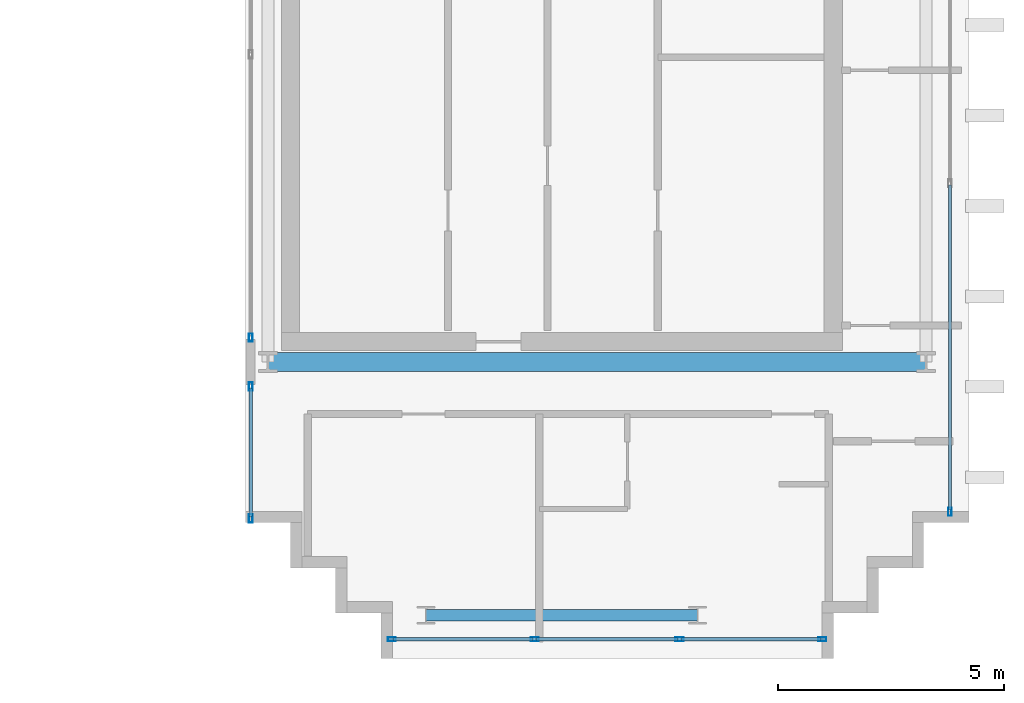
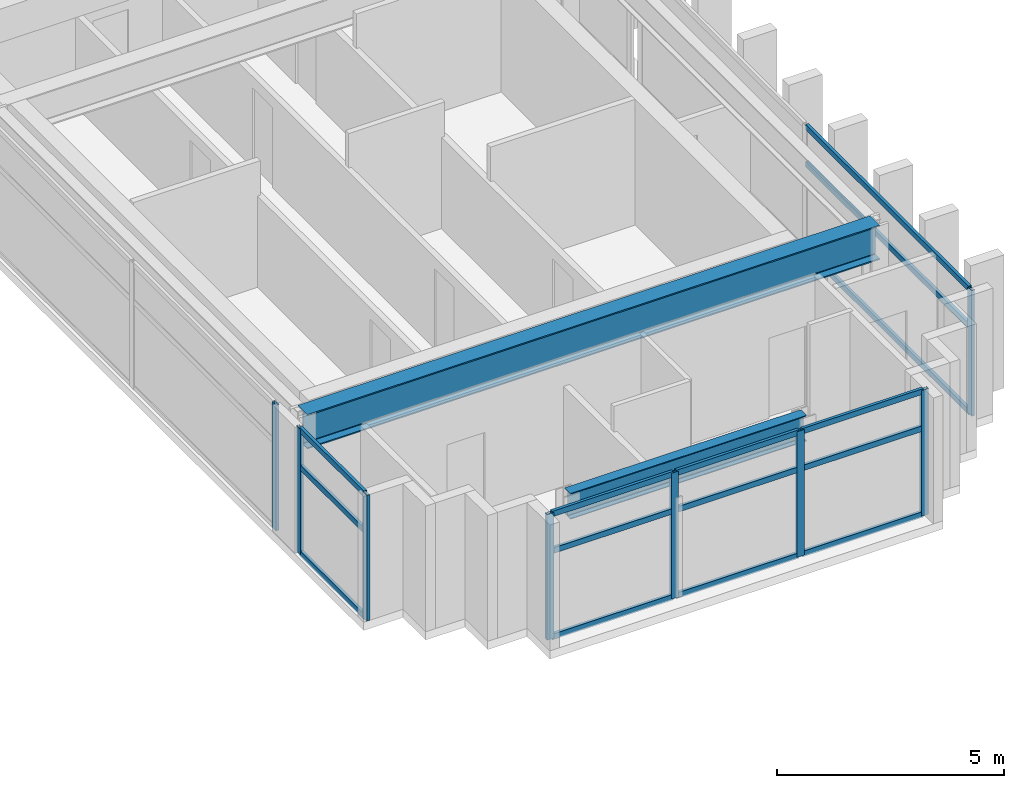
# One storey, part 8 of 25: 23 members, 2 beams, 4 elements without a shape of their own.
"""IFC4 building model written with IfcOpenShell, lengths in metres."""

from ifc_helpers import new_model, si_unit, direction, frame, origin, origin_2d, place, context, subcontext, project, spatial, hollow_rectangle, i_section, extrude, source, transform, mapped, material, layer, layer_set, material_profile, profile_set, type_object, element, aggregate, save


model = new_model("IFC4")

# Units and contexts
model_context = context("Model", 3, precision=1e-05, world=origin(), true_north=direction((0.0, 1.0)))
body_context = subcontext(model_context, "Body", "Model", "MODEL_VIEW")
ifc_project = project(units=[si_unit("LENGTHUNIT", "METRE"), si_unit("AREAUNIT", "SQUARE_METRE"), si_unit("VOLUMEUNIT", "CUBIC_METRE"), si_unit("PLANEANGLEUNIT", "RADIAN"), si_unit("MASSUNIT", "GRAM", prefix="KILO")], contexts=[model_context])

# Site, building, storey
site_placement = place(None, origin())
site = spatial("IfcSite", under=ifc_project, at=site_placement, CompositionType="ELEMENT")
building_placement = place(site_placement, origin())
building = spatial("IfcBuilding", under=site, at=building_placement, Name="Ocotamira Hotel", CompositionType="ELEMENT")
storey_placement = place(building_placement, frame((0.0, 0.0, 261.60009765625)))
storey = spatial("IfcBuildingStorey", under=building, at=storey_placement, Name="L66", CompositionType="ELEMENT", Elevation=261.60009765625)

# Beams
ifc_material_1 = material(Name="Steel ASTM A992 Grade 50", Category="steel")
ifc_material_profile_1 = material_profile(ifc_material_1, i_section(OverallWidth=0.41796875, OverallDepth=0.927001953125, WebThickness=0.019287109375, FlangeThickness=0.031982421875, FilletRadius=0.02392578125, at=origin_2d()), Name="W36X231")
ifc_profile_set_1 = profile_set([ifc_material_profile_1], Name="Steel ASTM A992 Grade 50")
beam_type_1 = type_object("IfcBeamType", Name="BM-GIRD-W36X231", PredefinedType="BEAM", material=ifc_profile_set_1)
shared_shape_1 = source(origin(), body_context, "Body", "SweptSolid", [
    extrude(i_section(OverallWidth=0.41796875, OverallDepth=0.927001953125, WebThickness=0.019287109375, FlangeThickness=0.031982421875, FilletRadius=0.02392578125, at=origin_2d()), origin(), (0.0, 0.0, 1.0), 14.550048828125),
])
beam_1_placement = place(storey_placement, frame((40.5, 14.550048828125, 2.91650390625), z_axis=(1.0, 0.0, 0.0), x_axis=(0.0, 1.0, 0.0)))
element("IfcBeam", 1, at=beam_1_placement, inside=storey, type_object=beam_type_1, Name="L66 Girder Y14.55 X40.5-55.05", PredefinedType="BEAM", context=body_context, shape_type="MappedRepresentation", body=[
    mapped(shared_shape_1, transform((0.0, 0.0, 0.0), scale=1.0)),
])
ifc_material_profile_2 = material_profile(ifc_material_1, i_section(OverallWidth=0.256103515625, OverallDepth=0.693115234375, WebThickness=0.014404296875, FlangeThickness=0.023681640625, FilletRadius=0.01611328125, at=origin_2d()), Name="W27X114")
ifc_profile_set_2 = profile_set([ifc_material_profile_2], Name="Steel ASTM A992 Grade 50")
beam_type_2 = type_object("IfcBeamType", Name="BM-PRIM-W27X114", PredefinedType="BEAM", material=ifc_profile_set_2)
shared_shape_2 = source(origin(), body_context, "Body", "SweptSolid", [
    extrude(i_section(OverallWidth=0.256103515625, OverallDepth=0.693115234375, WebThickness=0.014404296875, FlangeThickness=0.023681640625, FilletRadius=0.01611328125, at=origin_2d()), origin(), (0.0, 0.0, 1.0), 6.0),
])
beam_2_placement = place(storey_placement, frame((44.0, 8.949951171875, 3.033447265625), z_axis=(1.0, 0.0, 0.0), x_axis=(0.0, 1.0, 0.0)))
element("IfcBeam", 2, at=beam_2_placement, inside=storey, type_object=beam_type_2, Name="L66 Girder Y8.95 X44-50", PredefinedType="BEAM", context=body_context, shape_type="MappedRepresentation", body=[
    mapped(shared_shape_2, transform((0.0, 0.0, 0.0), scale=1.0)),
])

# Curtain wall, members
ifc_material_2 = material(Name="Anodised pale-metal aluminium and solar glass", Category="aluminium")
ifc_layer = layer(ifc_material_2, 0.2099609375)
ifc_layer_set = layer_set([ifc_layer], Name="Anodised pale-metal aluminium and solar glass")
curtain_wall_type = type_object("IfcCurtainWallType", Name="CW-SYS7-PEAK", PredefinedType="NOTDEFINED", material=ifc_layer_set)
curtain_wall_1_placement = place(storey_placement, origin())
curtain_wall_1 = element("IfcCurtainWall", 3, at=curtain_wall_1_placement, inside=storey, type_object=curtain_wall_type, Name="L66 Curtain Wall CW-7 CW-L66-ES", PredefinedType="NOTDEFINED")
ifc_material_3 = material(Name="Anodised pale-metal aluminium 6063-T6", Category="aluminium")
ifc_material_profile_3 = material_profile(ifc_material_3, hollow_rectangle(XDim=0.080078125, YDim=0.179931640625, WallThickness=0.006103515625, at=origin_2d()), Name="HSS180X80X6")
ifc_profile_set_3 = profile_set([ifc_material_profile_3], Name="Anodised pale-metal aluminium 6063-T6")
member_type_1 = type_object("IfcMemberType", Name="CWM-180X75", PredefinedType="MULLION", material=ifc_profile_set_3)
shared_shape_3 = source(origin(), body_context, "Body", "SweptSolid", [
    extrude(hollow_rectangle(XDim=0.080078125, YDim=0.179931640625, WallThickness=0.006103515625, at=origin_2d()), origin(), (0.0, 0.0, 1.0), 3.3798828125),
])
member_1_placement = place(storey_placement, frame((43.239990234375, 8.419921875, 0.0), z_axis=(0.0, 0.0, 1.0), x_axis=(0.0, 1.0, 0.0)))
member_1 = element("IfcMember", 4, at=member_1_placement, type_object=member_type_1, Name="CW-7 mullion 1", PredefinedType="MULLION", context=body_context, shape_type="MappedRepresentation", body=[
    mapped(shared_shape_3, transform((0.0, 0.0, 0.0), scale=1.0)),
])
member_2_placement = place(storey_placement, frame((46.39990234375, 8.419921875, 0.0), z_axis=(0.0, 0.0, 1.0), x_axis=(0.0, 1.0, 0.0)))
member_2 = element("IfcMember", 5, at=member_2_placement, type_object=member_type_1, Name="CW-7 mullion 2", PredefinedType="MULLION", context=body_context, shape_type="MappedRepresentation", body=[
    mapped(shared_shape_3, transform((0.0, 0.0, 0.0), scale=1.0)),
])
member_3_placement = place(storey_placement, frame((49.60009765625, 8.419921875, 0.0), z_axis=(0.0, 0.0, 1.0), x_axis=(0.0, 1.0, 0.0)))
member_3 = element("IfcMember", 6, at=member_3_placement, type_object=member_type_1, Name="CW-7 mullion 3", PredefinedType="MULLION", context=body_context, shape_type="MappedRepresentation", body=[
    mapped(shared_shape_3, transform((0.0, 0.0, 0.0), scale=1.0)),
])
member_4_placement = place(storey_placement, frame((52.760009765625, 8.419921875, 0.0), z_axis=(0.0, 0.0, 1.0), x_axis=(0.0, 1.0, 0.0)))
member_4 = element("IfcMember", 7, at=member_4_placement, type_object=member_type_1, Name="CW-7 mullion 4", PredefinedType="MULLION", context=body_context, shape_type="MappedRepresentation", body=[
    mapped(shared_shape_3, transform((0.0, 0.0, 0.0), scale=1.0)),
])

# Curtain wall, member
curtain_wall_2_placement = place(storey_placement, origin())
curtain_wall_2 = element("IfcCurtainWall", 8, at=curtain_wall_2_placement, inside=storey, type_object=curtain_wall_type, Name="L66 Curtain Wall CW-7 CW-L66-EO1", PredefinedType="NOTDEFINED")
member_5_placement = place(storey_placement, frame((55.580078125, 11.239990234375, 0.0), z_axis=(0.0, 0.0, 1.0), x_axis=(-1.0, 0.0, 0.0)))
member_5 = element("IfcMember", 9, at=member_5_placement, type_object=member_type_1, Name="CW-7 mullion 1", PredefinedType="MULLION", context=body_context, shape_type="MappedRepresentation", body=[
    mapped(shared_shape_3, transform((0.0, 0.0, 0.0), scale=1.0)),
])

# Curtain wall, members
curtain_wall_3_placement = place(storey_placement, origin())
curtain_wall_3 = element("IfcCurtainWall", 10, at=curtain_wall_3_placement, inside=storey, type_object=curtain_wall_type, Name="L66 Curtain Wall CW-7 CW-L66-EI1", PredefinedType="NOTDEFINED")
member_6_placement = place(storey_placement, frame((40.1201171875, 11.090087890625, 0.0), z_axis=(0.0, 0.0, 1.0), x_axis=(-1.0, 0.0, 0.0)))
member_6 = element("IfcMember", 11, at=member_6_placement, type_object=member_type_1, Name="CW-7 mullion 1", PredefinedType="MULLION", context=body_context, shape_type="MappedRepresentation", body=[
    mapped(shared_shape_3, transform((0.0, 0.0, 0.0), scale=1.0)),
])
member_7_placement = place(storey_placement, frame((40.1201171875, 14.010009765625, 0.0), z_axis=(0.0, 0.0, 1.0), x_axis=(-1.0, 0.0, 0.0)))
member_7 = element("IfcMember", 12, at=member_7_placement, type_object=member_type_1, Name="CW-7 mullion 2", PredefinedType="MULLION", context=body_context, shape_type="MappedRepresentation", body=[
    mapped(shared_shape_3, transform((0.0, 0.0, 0.0), scale=1.0)),
])

# Curtain wall, member
curtain_wall_4_placement = place(storey_placement, origin())
curtain_wall_4 = element("IfcCurtainWall", 13, at=curtain_wall_4_placement, inside=storey, type_object=curtain_wall_type, Name="L66 Curtain Wall CW-7 CW-L66-EI2", PredefinedType="NOTDEFINED")
member_8_placement = place(storey_placement, frame((40.1201171875, 15.090087890625, 0.0), z_axis=(0.0, 0.0, 1.0), x_axis=(-1.0, 0.0, 0.0)))
member_8 = element("IfcMember", 14, at=member_8_placement, type_object=member_type_1, Name="CW-7 mullion 1", PredefinedType="MULLION", context=body_context, shape_type="MappedRepresentation", body=[
    mapped(shared_shape_3, transform((0.0, 0.0, 0.0), scale=1.0)),
])
aggregate(curtain_wall_4, [member_8])

# Member
ifc_material_profile_4 = material_profile(ifc_material_3, hollow_rectangle(XDim=0.074951171875, YDim=0.14990234375, WallThickness=0.006103515625, at=origin_2d()), Name="HSS150X75X6")
ifc_profile_set_4 = profile_set([ifc_material_profile_4], Name="Anodised pale-metal aluminium 6063-T6")
member_type_2 = type_object("IfcMemberType", Name="CWT-150X75", PredefinedType="USERDEFINED", material=ifc_profile_set_4)
shared_shape_4 = source(origin(), body_context, "Body", "SweptSolid", [
    extrude(hollow_rectangle(XDim=0.074951171875, YDim=0.14990234375, WallThickness=0.006103515625, at=origin_2d()), origin(), (0.0, 0.0, 1.0), 3.080078125),
])
member_9_placement = place(storey_placement, frame((43.280029296875, 8.419921875, 0.037353515625), z_axis=(1.0, 0.0, 0.0), x_axis=(0.0, 1.0, 0.0)))
member_9 = element("IfcMember", 15, at=member_9_placement, type_object=member_type_2, Name="CW-7 transom 1.1", ObjectType="TRANSOM", PredefinedType="USERDEFINED", context=body_context, shape_type="MappedRepresentation", body=[
    mapped(shared_shape_4, transform((0.0, 0.0, 0.0), scale=1.0)),
])

member_10_placement = place(storey_placement, frame((43.280029296875, 8.419921875, 2.349853515625), z_axis=(1.0, 0.0, 0.0), x_axis=(0.0, 1.0, 0.0)))
member_10 = element("IfcMember", 16, at=member_10_placement, type_object=member_type_2, Name="CW-7 transom 1.2", ObjectType="TRANSOM", PredefinedType="USERDEFINED", context=body_context, shape_type="MappedRepresentation", body=[
    mapped(shared_shape_4, transform((0.0, 0.0, 0.0), scale=1.0)),
])

member_11_placement = place(storey_placement, frame((43.280029296875, 8.419921875, 3.34228515625), z_axis=(1.0, 0.0, 0.0), x_axis=(0.0, 1.0, 0.0)))
member_11 = element("IfcMember", 17, at=member_11_placement, type_object=member_type_2, Name="CW-7 transom 1.3", ObjectType="TRANSOM", PredefinedType="USERDEFINED", context=body_context, shape_type="MappedRepresentation", body=[
    mapped(shared_shape_4, transform((0.0, 0.0, 0.0), scale=1.0)),
])

member_12_placement = place(storey_placement, frame((49.639892578125, 8.419921875, 0.037353515625), z_axis=(1.0, 0.0, 0.0), x_axis=(0.0, 1.0, 0.0)))
member_12 = element("IfcMember", 18, at=member_12_placement, type_object=member_type_2, Name="CW-7 transom 3.1", ObjectType="TRANSOM", PredefinedType="USERDEFINED", context=body_context, shape_type="MappedRepresentation", body=[
    mapped(shared_shape_4, transform((0.0, 0.0, 0.0), scale=1.0)),
])

member_13_placement = place(storey_placement, frame((49.639892578125, 8.419921875, 2.349853515625), z_axis=(1.0, 0.0, 0.0), x_axis=(0.0, 1.0, 0.0)))
member_13 = element("IfcMember", 19, at=member_13_placement, type_object=member_type_2, Name="CW-7 transom 3.2", ObjectType="TRANSOM", PredefinedType="USERDEFINED", context=body_context, shape_type="MappedRepresentation", body=[
    mapped(shared_shape_4, transform((0.0, 0.0, 0.0), scale=1.0)),
])

member_14_placement = place(storey_placement, frame((49.639892578125, 8.419921875, 3.34228515625), z_axis=(1.0, 0.0, 0.0), x_axis=(0.0, 1.0, 0.0)))
member_14 = element("IfcMember", 20, at=member_14_placement, type_object=member_type_2, Name="CW-7 transom 3.3", ObjectType="TRANSOM", PredefinedType="USERDEFINED", context=body_context, shape_type="MappedRepresentation", body=[
    mapped(shared_shape_4, transform((0.0, 0.0, 0.0), scale=1.0)),
])

shared_shape_5 = source(origin(), body_context, "Body", "SweptSolid", [
    extrude(hollow_rectangle(XDim=0.074951171875, YDim=0.14990234375, WallThickness=0.006103515625, at=origin_2d()), origin(), (0.0, 0.0, 1.0), 3.1201171875),
])
member_15_placement = place(storey_placement, frame((46.43994140625, 8.419921875, 0.037353515625), z_axis=(1.0, 0.0, 0.0), x_axis=(0.0, 1.0, 0.0)))
member_15 = element("IfcMember", 21, at=member_15_placement, type_object=member_type_2, Name="CW-7 transom 2.1", ObjectType="TRANSOM", PredefinedType="USERDEFINED", context=body_context, shape_type="MappedRepresentation", body=[
    mapped(shared_shape_5, transform((0.0, 0.0, 0.0), scale=1.0)),
])

member_16_placement = place(storey_placement, frame((46.43994140625, 8.419921875, 2.349853515625), z_axis=(1.0, 0.0, 0.0), x_axis=(0.0, 1.0, 0.0)))
member_16 = element("IfcMember", 22, at=member_16_placement, type_object=member_type_2, Name="CW-7 transom 2.2", ObjectType="TRANSOM", PredefinedType="USERDEFINED", context=body_context, shape_type="MappedRepresentation", body=[
    mapped(shared_shape_5, transform((0.0, 0.0, 0.0), scale=1.0)),
])

member_17_placement = place(storey_placement, frame((46.43994140625, 8.419921875, 3.34228515625), z_axis=(1.0, 0.0, 0.0), x_axis=(0.0, 1.0, 0.0)))
member_17 = element("IfcMember", 23, at=member_17_placement, type_object=member_type_2, Name="CW-7 transom 2.3", ObjectType="TRANSOM", PredefinedType="USERDEFINED", context=body_context, shape_type="MappedRepresentation", body=[
    mapped(shared_shape_5, transform((0.0, 0.0, 0.0), scale=1.0)),
])

aggregate(curtain_wall_1, [member_1, member_2, member_3, member_4, member_9, member_10, member_11, member_15, member_16, member_17, member_12, member_13, member_14])

shared_shape_6 = source(origin(), body_context, "Body", "SweptSolid", [
    extrude(hollow_rectangle(XDim=0.074951171875, YDim=0.14990234375, WallThickness=0.006103515625, at=origin_2d()), origin(), (0.0, 0.0, 1.0), 7.179931640625),
])
member_18_placement = place(storey_placement, frame((55.580078125, 11.280029296875, 0.037353515625), z_axis=(0.0, 1.0, 0.0), x_axis=(-1.0, 0.0, 0.0)))
member_18 = element("IfcMember", 24, at=member_18_placement, type_object=member_type_2, Name="CW-7 transom 1.1", ObjectType="TRANSOM", PredefinedType="USERDEFINED", context=body_context, shape_type="MappedRepresentation", body=[
    mapped(shared_shape_6, transform((0.0, 0.0, 0.0), scale=1.0)),
])

member_19_placement = place(storey_placement, frame((55.580078125, 11.280029296875, 2.349853515625), z_axis=(0.0, 1.0, 0.0), x_axis=(-1.0, 0.0, 0.0)))
member_19 = element("IfcMember", 25, at=member_19_placement, type_object=member_type_2, Name="CW-7 transom 1.2", ObjectType="TRANSOM", PredefinedType="USERDEFINED", context=body_context, shape_type="MappedRepresentation", body=[
    mapped(shared_shape_6, transform((0.0, 0.0, 0.0), scale=1.0)),
])

member_20_placement = place(storey_placement, frame((55.580078125, 11.280029296875, 3.34228515625), z_axis=(0.0, 1.0, 0.0), x_axis=(-1.0, 0.0, 0.0)))
member_20 = element("IfcMember", 26, at=member_20_placement, type_object=member_type_2, Name="CW-7 transom 1.3", ObjectType="TRANSOM", PredefinedType="USERDEFINED", context=body_context, shape_type="MappedRepresentation", body=[
    mapped(shared_shape_6, transform((0.0, 0.0, 0.0), scale=1.0)),
])

aggregate(curtain_wall_2, [member_5, member_18, member_19, member_20])

shared_shape_7 = source(origin(), body_context, "Body", "SweptSolid", [
    extrude(hollow_rectangle(XDim=0.074951171875, YDim=0.14990234375, WallThickness=0.006103515625, at=origin_2d()), origin(), (0.0, 0.0, 1.0), 2.840087890625),
])
member_21_placement = place(storey_placement, frame((40.1201171875, 11.1298828125, 0.037353515625), z_axis=(0.0, 1.0, 0.0), x_axis=(-1.0, 0.0, 0.0)))
member_21 = element("IfcMember", 27, at=member_21_placement, type_object=member_type_2, Name="CW-7 transom 1.1", ObjectType="TRANSOM", PredefinedType="USERDEFINED", context=body_context, shape_type="MappedRepresentation", body=[
    mapped(shared_shape_7, transform((0.0, 0.0, 0.0), scale=1.0)),
])

member_22_placement = place(storey_placement, frame((40.1201171875, 11.1298828125, 2.349853515625), z_axis=(0.0, 1.0, 0.0), x_axis=(-1.0, 0.0, 0.0)))
member_22 = element("IfcMember", 28, at=member_22_placement, type_object=member_type_2, Name="CW-7 transom 1.2", ObjectType="TRANSOM", PredefinedType="USERDEFINED", context=body_context, shape_type="MappedRepresentation", body=[
    mapped(shared_shape_7, transform((0.0, 0.0, 0.0), scale=1.0)),
])

member_23_placement = place(storey_placement, frame((40.1201171875, 11.1298828125, 3.34228515625), z_axis=(0.0, 1.0, 0.0), x_axis=(-1.0, 0.0, 0.0)))
member_23 = element("IfcMember", 29, at=member_23_placement, type_object=member_type_2, Name="CW-7 transom 1.3", ObjectType="TRANSOM", PredefinedType="USERDEFINED", context=body_context, shape_type="MappedRepresentation", body=[
    mapped(shared_shape_7, transform((0.0, 0.0, 0.0), scale=1.0)),
])

aggregate(curtain_wall_3, [member_6, member_7, member_21, member_22, member_23])

save(model, "model.ifc")
